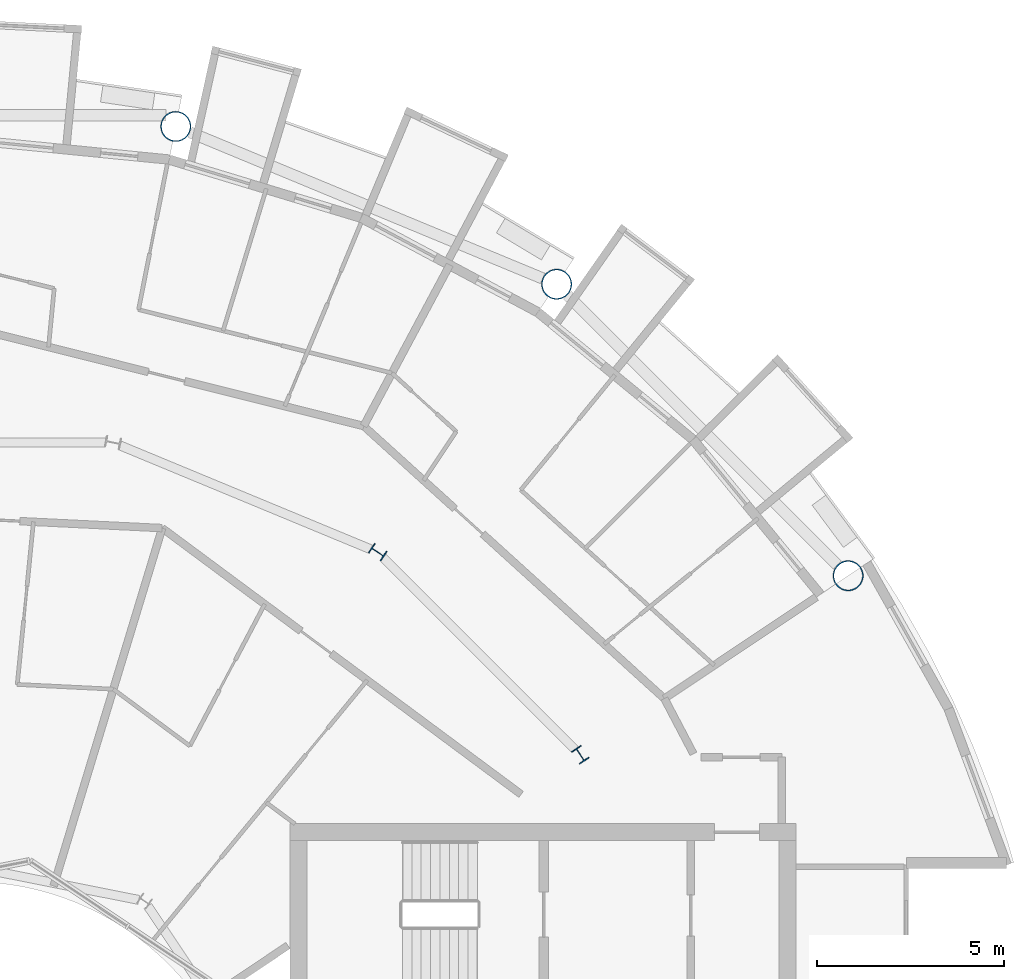
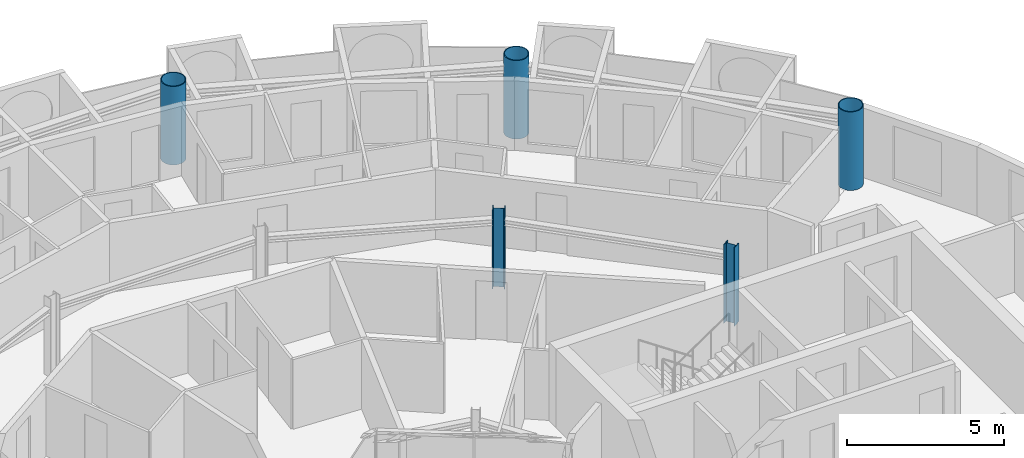
# One storey, part 5 of 29: 5 columns.
"""IFC4 building model written with IfcOpenShell, lengths in metres."""

from ifc_helpers import new_model, si_unit, direction, frame, origin, origin_2d, place, context, subcontext, project, spatial, hollow_circle, i_section, extrude, material, material_profile, profile_set, type_object, element, save


model = new_model("IFC4")

# Units and contexts
model_context = context("Model", 3, precision=1e-05, world=origin(), true_north=direction((0.0, 1.0)))
body_context = subcontext(model_context, "Body", "Model", "MODEL_VIEW")
ifc_project = project(units=[si_unit("LENGTHUNIT", "METRE"), si_unit("AREAUNIT", "SQUARE_METRE"), si_unit("VOLUMEUNIT", "CUBIC_METRE"), si_unit("PLANEANGLEUNIT", "RADIAN"), si_unit("MASSUNIT", "GRAM", prefix="KILO")], contexts=[model_context])

# Site, building, storey
site_placement = place(None, origin())
site = spatial("IfcSite", under=ifc_project, at=site_placement, CompositionType="ELEMENT")
building_placement = place(site_placement, origin())
building = spatial("IfcBuilding", under=site, at=building_placement, Name="Maasbend Ring Residences", CompositionType="ELEMENT")
storey_placement = place(building_placement, frame((0.0, 0.0, 190.199951171875)))
storey = spatial("IfcBuildingStorey", under=building, at=storey_placement, Name="L54", CompositionType="ELEMENT", Elevation=190.199951171875)

# Columns
ifc_material_1 = material(Name="Composite concrete-filled steel tube S460NH / C80/95", Category="concrete")
ifc_material_profile_1 = material_profile(ifc_material_1, hollow_circle(Radius=0.406494140625, WallThickness=0.030029296875, at=origin_2d()), Name="Composite tube column CHS 813x30")
ifc_profile_set_1 = profile_set([ifc_material_profile_1], Name="Composite concrete-filled steel tube S460NH / C80/95")
column_type_1 = type_object("IfcColumnType", Name="Composite tube column CHS 813x30", PredefinedType="COLUMN", material=ifc_profile_set_1)
for number, where, z_axis, x_axis, name in (
    (1, (23.447509765625, 15.6669921875, 0.0), (0.0, 0.0, 1.0), (1.0, 0.0, 0.0), "Outer column R2"),
    (2, (15.6669921875, 23.447509765625, 0.0), (0.0, 0.0, 1.0), (1.0, 0.0, 0.0), "Outer column R3"),
    (3, (5.50146484375, 27.658203125, 0.0), (0.0, 0.0, 1.0), (1.0, 0.0, 0.0), "Outer column R4"),
):
    element("IfcColumn", number, at=place(storey_placement, frame(where, z_axis=z_axis, x_axis=x_axis)), inside=storey, type_object=column_type_1, Name=name, PredefinedType="COLUMN", context=body_context, shape_type="SweptSolid", body=[
        extrude(hollow_circle(Radius=0.406494140625, WallThickness=0.030029296875, at=origin_2d()), origin(), (0.0, 0.0, 1.0), 3.050048828125),
    ])
ifc_material_2 = material(Name="Steel S355J2", Category="steel")
ifc_material_profile_2 = material_profile(ifc_material_2, i_section(OverallWidth=0.300048828125, OverallDepth=0.39990234375, WebThickness=0.013427734375, FlangeThickness=0.02392578125, FilletRadius=0.027099609375, at=origin_2d()), Name="HEB 400")
ifc_profile_set_2 = profile_set([ifc_material_profile_2], Name="Steel S355J2")
column_type_2 = type_object("IfcColumnType", Name="Steel column HEB 400", PredefinedType="COLUMN", material=ifc_profile_set_2)
for number, where, z_axis, x_axis, name in (
    (4, (16.296875, 10.88916015625, 0.0), (0.0, 0.0, 1.0), (0.831469612303, 0.55557023302, 0.0), "Corridor ring column R2"),
    (5, (10.88916015625, 16.296875, 0.0), (0.0, 0.0, 1.0), (0.55557023302, 0.831469612303, 0.0), "Corridor ring column R3"),
):
    element("IfcColumn", number, at=place(storey_placement, frame(where, z_axis=z_axis, x_axis=x_axis)), inside=storey, type_object=column_type_2, Name=name, PredefinedType="COLUMN", context=body_context, shape_type="SweptSolid", body=[
        extrude(i_section(OverallWidth=0.300048828125, OverallDepth=0.39990234375, WebThickness=0.013427734375, FlangeThickness=0.02392578125, FilletRadius=0.027099609375, at=origin_2d()), origin(), (0.0, 0.0, 1.0), 3.050048828125),
    ])

save(model, "model.ifc")
